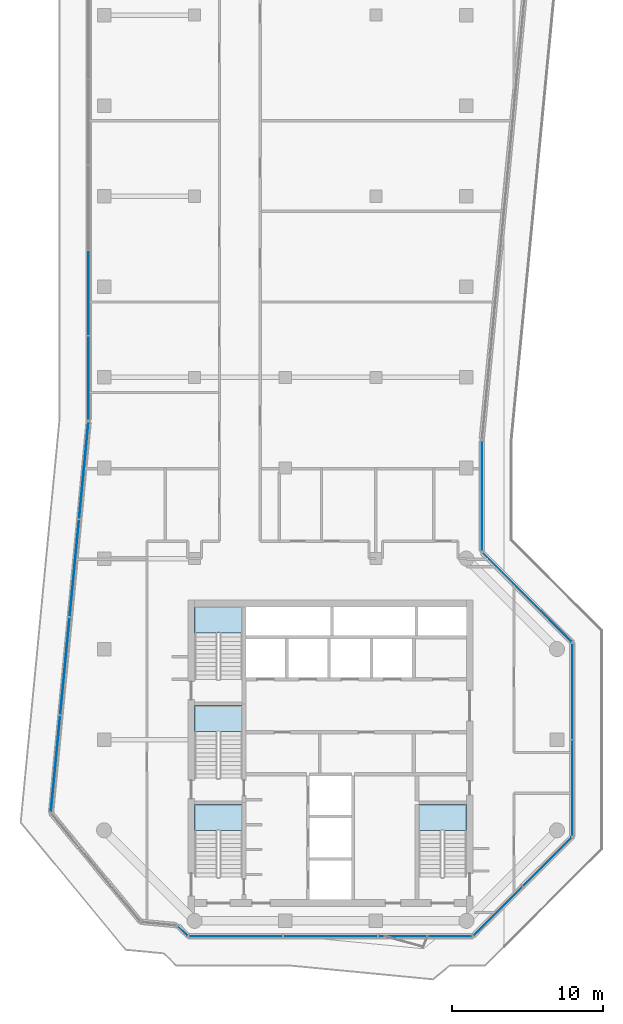
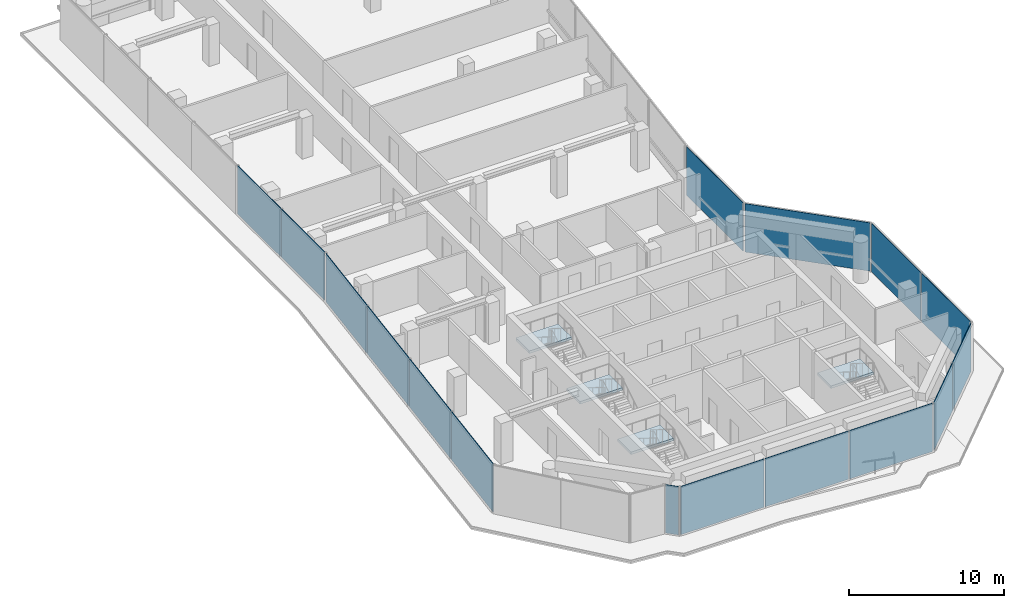
# One storey, part 6 of 13: 16 plates, 4 slabs, 12 elements without a shape of their own.
"""IFC4 building model written with IfcOpenShell, lengths in metres."""

from ifc_helpers import new_model, si_unit, direction, frame, origin, origin_2d, place, context, subcontext, project, spatial, polyline, rectangle, outline, extrude, material, layer, layer_set, type_object, element, aggregate, save


model = new_model("IFC4")

# Units and contexts
model_context = context("Model", 3, precision=1e-05, world=origin(), true_north=direction((0.0, 1.0)))
body_context = subcontext(model_context, "Body", "Model", "MODEL_VIEW")
ifc_project = project(units=[si_unit("LENGTHUNIT", "METRE"), si_unit("AREAUNIT", "SQUARE_METRE"), si_unit("VOLUMEUNIT", "CUBIC_METRE"), si_unit("PLANEANGLEUNIT", "RADIAN"), si_unit("MASSUNIT", "GRAM", prefix="KILO")], contexts=[model_context])

# Site, building, storey
site_placement = place(None, origin())
site = spatial("IfcSite", under=ifc_project, at=site_placement, CompositionType="ELEMENT")
building_placement = place(site_placement, origin())
building = spatial("IfcBuilding", under=site, at=building_placement, Name="Welwitschia Terrace Campus", CompositionType="ELEMENT")
storey_placement = place(building_placement, frame((0.0, 0.0, 251.60009765625)))
storey = spatial("IfcBuildingStorey", under=building, at=storey_placement, Name="L56", CompositionType="ELEMENT", Elevation=251.60009765625)

# Curtain wall, plates
ifc_material_1 = material(Name="Bronze anodised aluminium", Category="aluminium")
ifc_layer_1 = layer(ifc_material_1, 0.199951171875)
ifc_layer_set_1 = layer_set([ifc_layer_1], Name="Bronze anodised aluminium")
curtain_wall_type = type_object("IfcCurtainWallType", Name="Curtain wall CW6 plant floor 6000", PredefinedType="NOTDEFINED", material=ifc_layer_set_1)
curtain_wall_1_placement = place(storey_placement, origin())
curtain_wall_1 = element("IfcCurtainWall", 1, at=curtain_wall_1_placement, inside=storey, type_object=curtain_wall_type, Name="CW L56.0.0", PredefinedType="NOTDEFINED")
ifc_material_2 = material(Name="Tinted bronze-grey glass", Category="glass")
ifc_layer_2 = layer(ifc_material_2, 0.035888671875)
ifc_layer_set_2 = layer_set([ifc_layer_2], Name="Tinted bronze-grey glass")
plate_type = type_object("IfcPlateType", Name="Glass panel 36 laminated", PredefinedType="CURTAIN_PANEL", material=ifc_layer_set_2)
plate_1_placement = place(storey_placement, frame((-1.030029296875, 45.589111328125, 0.0), z_axis=(0.0, 0.0, 1.0), x_axis=(0.0, -1.0, 0.0)))
plate_1 = element("IfcPlate", 2, at=plate_1_placement, type_object=plate_type, Name="Panel L56.0.0.4", PredefinedType="CURTAIN_PANEL", context=body_context, shape_type="SweptSolid", body=[
    extrude(rectangle(XDim=5.573486328125, YDim=0.035888671875, at=origin_2d()), origin(), (0.0, 0.0, 1.0), 3.800048828125),
])
plate_2_placement = place(storey_placement, frame((-1.030029296875, 39.95556640625, 0.0), z_axis=(0.0, 0.0, 1.0), x_axis=(0.0, -1.0, 0.0)))
plate_2 = element("IfcPlate", 3, at=plate_2_placement, type_object=plate_type, Name="Panel L56.0.0.5", PredefinedType="CURTAIN_PANEL", context=body_context, shape_type="SweptSolid", body=[
    extrude(rectangle(XDim=5.533447265625, YDim=0.035888671875, at=origin_2d()), origin(), (0.0, 0.0, 1.0), 3.800048828125),
])
aggregate(curtain_wall_1, [plate_1, plate_2])

curtain_wall_2_placement = place(storey_placement, origin())
curtain_wall_2 = element("IfcCurtainWall", 4, at=curtain_wall_2_placement, inside=storey, type_object=curtain_wall_type, Name="CW L56.1.0", PredefinedType="NOTDEFINED")
plate_3_placement = place(storey_placement, frame((-1.344482421875, 33.842041015625, 0.0), z_axis=(0.0, 0.0, 1.0), x_axis=(-0.09584575252, -0.995396198367, 0.0)))
plate_3 = element("IfcPlate", 5, at=plate_3_placement, type_object=plate_type, Name="Panel L56.1.0.0", PredefinedType="CURTAIN_PANEL", context=body_context, shape_type="SweptSolid", body=[
    extrude(rectangle(XDim=6.403564453125, YDim=0.035888671875, at=origin_2d()), origin(), (0.0, 0.0, 1.0), 3.800048828125),
])
plate_4_placement = place(storey_placement, frame((-1.9677734375, 27.368408203125, 0.0), z_axis=(0.0, 0.0, 1.0), x_axis=(-0.09584575252, -0.995396198367, 0.0)))
plate_4 = element("IfcPlate", 6, at=plate_4_placement, type_object=plate_type, Name="Panel L56.1.0.1", PredefinedType="CURTAIN_PANEL", context=body_context, shape_type="SweptSolid", body=[
    extrude(rectangle(XDim=6.443603515625, YDim=0.035888671875, at=origin_2d()), origin(), (0.0, 0.0, 1.0), 3.800048828125),
])
plate_5_placement = place(storey_placement, frame((-2.593017578125, 20.875, 0.0), z_axis=(0.0, 0.0, 1.0), x_axis=(-0.09584575252, -0.995396198367, 0.0)))
plate_5 = element("IfcPlate", 7, at=plate_5_placement, type_object=plate_type, Name="Panel L56.1.0.2", PredefinedType="CURTAIN_PANEL", context=body_context, shape_type="SweptSolid", body=[
    extrude(rectangle(XDim=6.443603515625, YDim=0.035888671875, at=origin_2d()), origin(), (0.0, 0.0, 1.0), 3.800048828125),
])
plate_6_placement = place(storey_placement, frame((-3.216552734375, 14.4013671875, 0.0), z_axis=(0.0, 0.0, 1.0), x_axis=(-0.09584575252, -0.995396198367, 0.0)))
plate_6 = element("IfcPlate", 8, at=plate_6_placement, type_object=plate_type, Name="Panel L56.1.0.3", PredefinedType="CURTAIN_PANEL", context=body_context, shape_type="SweptSolid", body=[
    extrude(rectangle(XDim=6.403564453125, YDim=0.035888671875, at=origin_2d()), origin(), (0.0, 0.0, 1.0), 3.800048828125),
])
aggregate(curtain_wall_2, [plate_3, plate_4, plate_5, plate_6])

# Curtain wall, plate
curtain_wall_3_placement = place(storey_placement, origin())
curtain_wall_3 = element("IfcCurtainWall", 9, at=curtain_wall_3_placement, inside=storey, type_object=curtain_wall_type, Name="CW L56.4.0", PredefinedType="NOTDEFINED")
plate_7_placement = place(storey_placement, frame((5.21142578125, 3.33203125, 0.0), z_axis=(0.0, 0.0, 1.0), x_axis=(0.707106781187, -0.707106781187, 0.0)))
plate_7 = element("IfcPlate", 10, at=plate_7_placement, type_object=plate_type, Name="Panel L56.4.0.0", PredefinedType="CURTAIN_PANEL", context=body_context, shape_type="SweptSolid", body=[
    extrude(rectangle(XDim=0.86376953125, YDim=0.035888671875, at=origin_2d()), origin(), (0.0, 0.0, 1.0), 3.800048828125),
])
aggregate(curtain_wall_3, [plate_7])

# Curtain wall, plates
curtain_wall_4_placement = place(storey_placement, origin())
curtain_wall_4 = element("IfcCurtainWall", 11, at=curtain_wall_4_placement, inside=storey, type_object=curtain_wall_type, Name="CW L56.5.0", PredefinedType="NOTDEFINED")
plate_8_placement = place(storey_placement, frame((8.735595703125, 2.969970703125, 0.0), z_axis=(0.0, 0.0, 1.0), x_axis=(1.0, 0.0, 0.0)))
plate_8 = element("IfcPlate", 12, at=plate_8_placement, type_object=plate_type, Name="Panel L56.5.0.0", PredefinedType="CURTAIN_PANEL", context=body_context, shape_type="SweptSolid", body=[
    extrude(rectangle(XDim=6.164306640625, YDim=0.035888671875, at=origin_2d()), origin(), (0.0, 0.0, 1.0), 3.800048828125),
])
plate_9_placement = place(storey_placement, frame((15.0, 2.969970703125, 0.0), z_axis=(0.0, 0.0, 1.0), x_axis=(1.0, 0.0, 0.0)))
plate_9 = element("IfcPlate", 13, at=plate_9_placement, type_object=plate_type, Name="Panel L56.5.0.1", PredefinedType="CURTAIN_PANEL", context=body_context, shape_type="SweptSolid", body=[
    extrude(rectangle(XDim=6.204345703125, YDim=0.035888671875, at=origin_2d()), origin(), (0.0, 0.0, 1.0), 3.800048828125),
])
plate_10_placement = place(storey_placement, frame((21.264404296875, 2.969970703125, 0.0), z_axis=(0.0, 0.0, 1.0), x_axis=(1.0, 0.0, 0.0)))
plate_10 = element("IfcPlate", 14, at=plate_10_placement, type_object=plate_type, Name="Panel L56.5.0.2", PredefinedType="CURTAIN_PANEL", context=body_context, shape_type="SweptSolid", body=[
    extrude(rectangle(XDim=6.164306640625, YDim=0.035888671875, at=origin_2d()), origin(), (0.0, 0.0, 1.0), 3.800048828125),
])
aggregate(curtain_wall_4, [plate_8, plate_9, plate_10])

curtain_wall_5_placement = place(storey_placement, origin())
curtain_wall_5 = element("IfcCurtainWall", 15, at=curtain_wall_5_placement, inside=storey, type_object=curtain_wall_type, Name="CW L56.6.0", PredefinedType="NOTDEFINED")
plate_11_placement = place(storey_placement, frame((26.091552734375, 4.635009765625, 0.0), z_axis=(0.0, 0.0, 1.0), x_axis=(0.707106781187, 0.707106781187, 0.0)))
plate_11 = element("IfcPlate", 16, at=plate_11_placement, type_object=plate_type, Name="Panel L56.6.0.0", PredefinedType="CURTAIN_PANEL", context=body_context, shape_type="SweptSolid", body=[
    extrude(rectangle(XDim=4.54931640625, YDim=0.035888671875, at=origin_2d()), origin(), (0.0, 0.0, 1.0), 3.800048828125),
])
plate_12_placement = place(storey_placement, frame((29.364990234375, 7.908447265625, 0.0), z_axis=(0.0, 0.0, 1.0), x_axis=(0.707106781187, 0.707106781187, 0.0)))
plate_12 = element("IfcPlate", 17, at=plate_12_placement, type_object=plate_type, Name="Panel L56.6.0.1", PredefinedType="CURTAIN_PANEL", context=body_context, shape_type="SweptSolid", body=[
    extrude(rectangle(XDim=4.54931640625, YDim=0.035888671875, at=origin_2d()), origin(), (0.0, 0.0, 1.0), 3.800048828125),
])
aggregate(curtain_wall_5, [plate_11, plate_12])

curtain_wall_6_placement = place(storey_placement, origin())
curtain_wall_6 = element("IfcCurtainWall", 18, at=curtain_wall_6_placement, inside=storey, type_object=curtain_wall_type, Name="CW L56.7.0", PredefinedType="NOTDEFINED")
plate_13_placement = place(storey_placement, frame((31.030029296875, 12.806640625, 0.0), z_axis=(0.0, 0.0, 1.0), x_axis=(0.0, 1.0, 0.0)))
plate_13 = element("IfcPlate", 19, at=plate_13_placement, type_object=plate_type, Name="Panel L56.7.0.0", PredefinedType="CURTAIN_PANEL", context=body_context, shape_type="SweptSolid", body=[
    extrude(rectangle(XDim=6.306640625, YDim=0.035888671875, at=origin_2d()), origin(), (0.0, 0.0, 1.0), 3.800048828125),
])
plate_14_placement = place(storey_placement, frame((31.030029296875, 19.193359375, 0.0), z_axis=(0.0, 0.0, 1.0), x_axis=(0.0, 1.0, 0.0)))
plate_14 = element("IfcPlate", 20, at=plate_14_placement, type_object=plate_type, Name="Panel L56.7.0.1", PredefinedType="CURTAIN_PANEL", context=body_context, shape_type="SweptSolid", body=[
    extrude(rectangle(XDim=6.306640625, YDim=0.035888671875, at=origin_2d()), origin(), (0.0, 0.0, 1.0), 3.800048828125),
])
aggregate(curtain_wall_6, [plate_13, plate_14])

# Curtain wall, plate
curtain_wall_7_placement = place(storey_placement, origin())
curtain_wall_7 = element("IfcCurtainWall", 21, at=curtain_wall_7_placement, inside=storey, type_object=curtain_wall_type, Name="CW L56.8.0", PredefinedType="NOTDEFINED")
plate_15_placement = place(storey_placement, frame((28.030029296875, 25.4267578125, 0.0), z_axis=(0.0, 0.0, 1.0), x_axis=(-0.707106781187, 0.707106781187, 0.0)))
plate_15 = element("IfcPlate", 22, at=plate_15_placement, type_object=plate_type, Name="Panel L56.8.0.0", PredefinedType="CURTAIN_PANEL", context=body_context, shape_type="SweptSolid", body=[
    extrude(rectangle(XDim=8.3251953125, YDim=0.035888671875, at=origin_2d()), origin(), (0.0, 0.0, 1.0), 3.800048828125),
])
aggregate(curtain_wall_7, [plate_15])

curtain_wall_8_placement = place(storey_placement, origin())
curtain_wall_8 = element("IfcCurtainWall", 23, at=curtain_wall_8_placement, inside=storey, type_object=curtain_wall_type, Name="CW L56.9.0", PredefinedType="NOTDEFINED")
plate_16_placement = place(storey_placement, frame((25.030029296875, 32.141845703125, 0.0), z_axis=(0.0, 0.0, 1.0), x_axis=(0.0, 1.0, 0.0)))
plate_16 = element("IfcPlate", 24, at=plate_16_placement, type_object=plate_type, Name="Panel L56.9.0.0", PredefinedType="CURTAIN_PANEL", context=body_context, shape_type="SweptSolid", body=[
    extrude(rectangle(XDim=7.270263671875, YDim=0.035888671875, at=origin_2d()), origin(), (0.0, 0.0, 1.0), 3.800048828125),
])
aggregate(curtain_wall_8, [plate_16])

# Stair, slab
ifc_material_3 = material(Name="Concrete C40/50", Category="concrete")
stair_type = type_object("IfcStairType", Name="Stair 24R 175 W1500", PredefinedType="HALF_TURN_STAIR", material=ifc_material_3)
stair_1_placement = place(storey_placement, origin())
stair_1 = element("IfcStair", 25, at=stair_1_placement, inside=storey, type_object=stair_type, Name="L56 Exit stair S1", PredefinedType="HALF_TURN_STAIR")
ifc_material_4 = material(Name="Concrete C40/50", Category="concrete")
ifc_layer_3 = layer(ifc_material_4, 0.199951171875)
ifc_layer_set_3 = layer_set([ifc_layer_3], Name="Concrete C40/50")
slab_type = type_object("IfcSlabType", Name="Stair landing RC", PredefinedType="LANDING", material=ifc_layer_set_3)
slab_1_placement = place(storey_placement, frame((0.0, 0.0, 1.89990234375)))
slab_1 = element("IfcSlab", 26, at=slab_1_placement, type_object=slab_type, Name="S1 landing 1", PredefinedType="LANDING", context=body_context, shape_type="SweptSolid", body=[
    extrude(outline(polyline([(9.14990234375, 9.97998046875), (9.14990234375, 11.699951171875), (6.0, 11.699951171875), (6.0, 9.97998046875), (9.14990234375, 9.97998046875)])), origin(), (0.0, 0.0, 1.0), 0.199951171875),
])
aggregate(stair_1, [slab_1])

stair_2_placement = place(storey_placement, origin())
stair_2 = element("IfcStair", 27, at=stair_2_placement, inside=storey, type_object=stair_type, Name="L56 Exit stair S3", PredefinedType="HALF_TURN_STAIR")
slab_2_placement = place(storey_placement, frame((0.0, 0.0, 1.89990234375)))
slab_2 = element("IfcSlab", 28, at=slab_2_placement, type_object=slab_type, Name="S3 landing 1", PredefinedType="LANDING", context=body_context, shape_type="SweptSolid", body=[
    extrude(outline(polyline([(9.14990234375, 16.530029296875), (9.14990234375, 18.25), (6.0, 18.25), (6.0, 16.530029296875), (9.14990234375, 16.530029296875)])), origin(), (0.0, 0.0, 1.0), 0.199951171875),
])
aggregate(stair_2, [slab_2])

stair_3_placement = place(storey_placement, origin())
stair_3 = element("IfcStair", 29, at=stair_3_placement, inside=storey, type_object=stair_type, Name="L56 Exit stair S4", PredefinedType="HALF_TURN_STAIR")
slab_3_placement = place(storey_placement, frame((0.0, 0.0, 1.89990234375)))
slab_3 = element("IfcSlab", 30, at=slab_3_placement, type_object=slab_type, Name="S4 landing 1", PredefinedType="LANDING", context=body_context, shape_type="SweptSolid", body=[
    extrude(outline(polyline([(9.14990234375, 23.080078125), (9.14990234375, 24.800048828125), (6.0, 24.800048828125), (6.0, 23.080078125), (9.14990234375, 23.080078125)])), origin(), (0.0, 0.0, 1.0), 0.199951171875),
])
aggregate(stair_3, [slab_3])

stair_4_placement = place(storey_placement, origin())
stair_4 = element("IfcStair", 31, at=stair_4_placement, inside=storey, type_object=stair_type, Name="L56 Exit stair S2", PredefinedType="HALF_TURN_STAIR")
slab_4_placement = place(storey_placement, frame((0.0, 0.0, 1.89990234375)))
slab_4 = element("IfcSlab", 32, at=slab_4_placement, type_object=slab_type, Name="S2 landing 1", PredefinedType="LANDING", context=body_context, shape_type="SweptSolid", body=[
    extrude(outline(polyline([(24.0, 9.97998046875), (24.0, 11.699951171875), (20.85009765625, 11.699951171875), (20.85009765625, 9.97998046875), (24.0, 9.97998046875)])), origin(), (0.0, 0.0, 1.0), 0.199951171875),
])
aggregate(stair_4, [slab_4])

save(model, "model.ifc")
